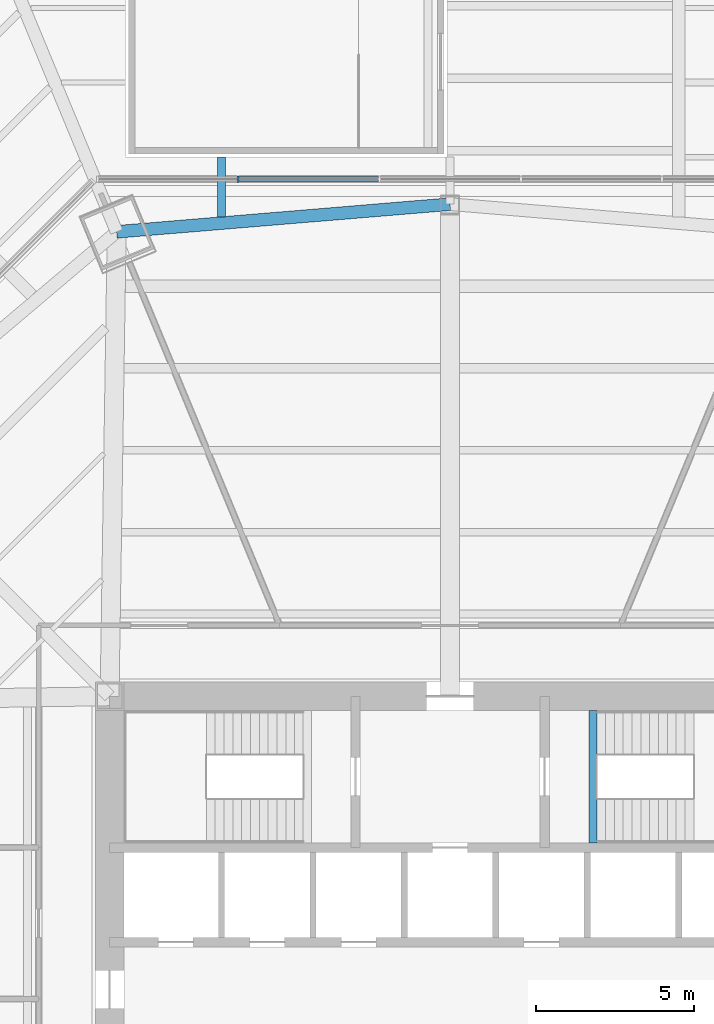
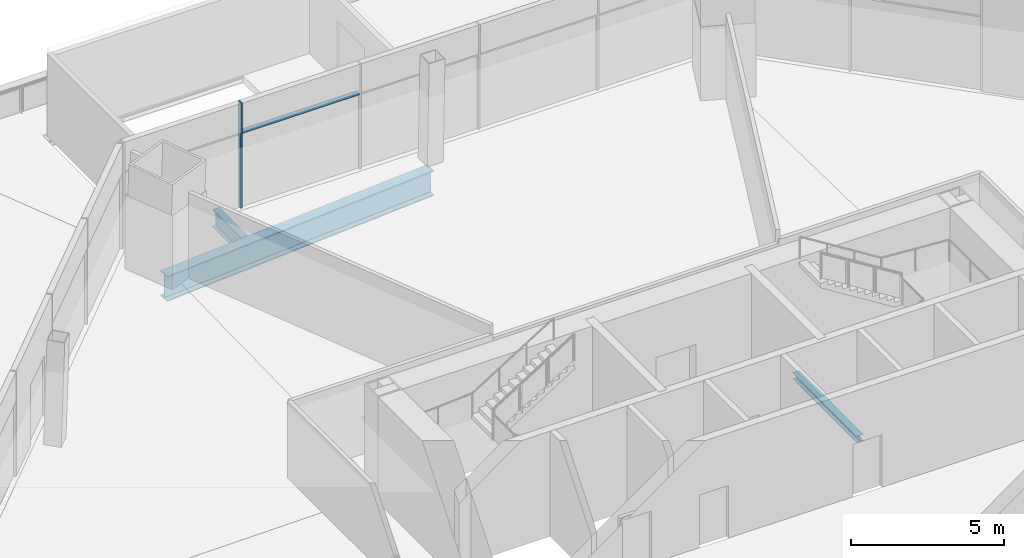
# One storey, part 9 of 25: 3 beams, 2 members, 1 element without a shape of its own.
"""IFC4 building model written with IfcOpenShell, lengths in metres."""

import ifcopenshell
import ifcopenshell.guid

model = None  # the IFC model being written
_history = None  # IfcOwnerHistory: only IFC2X3 demands one
_inside = {}  # id of a spatial element -> (the spatial element, [elements in it])
_under = {}  # id of a project, library or spatial element -> (it, [spatial elements below it])
_declared = {}  # id of a project -> (the project, [libraries it declares])
_typed = {}  # id of a type object -> (the type object, [elements of that type])
_made_of = {}  # id of a material, layer set ... -> (it, [elements and type objects made of it])


def new_model(schema):
    """Start an empty IFC model of exactly this schema.

    Asked for "IFC4X3", IfcOpenShell would pick the latest addendum, in which some entities
    have other attributes; the version numbers below select the first issue.
    IFC2X3 requires an IfcOwnerHistory on every rooted entity: one is made here for all.
    """
    global model, _history
    if schema == "IFC4X3":
        model = ifcopenshell.file(schema_version=(4, 3, 0, 0))
    else:
        model = ifcopenshell.file(schema=schema)
    _inside.clear()
    _under.clear()
    _declared.clear()
    _typed.clear()
    _made_of.clear()
    _history = None
    if model.schema == "IFC2X3":
        org = make("IfcOrganization", Name="unknown")
        user = make(
            "IfcPersonAndOrganization",
            ThePerson=make("IfcPerson", FamilyName="unknown"),
            TheOrganization=org,
        )
        app = make(
            "IfcApplication",
            ApplicationDeveloper=org,
            Version="unknown",
            ApplicationFullName="unknown",
            ApplicationIdentifier="unknown",
        )
        _history = make(
            "IfcOwnerHistory",
            OwningUser=user,
            OwningApplication=app,
            ChangeAction="ADDED",
            CreationDate=0,
        )
    return model


def make(cls, **values):
    """One entity of the class cls with the attributes given. An attribute that is None is left unset."""
    return model.create_entity(
        cls, **{name: value for name, value in values.items() if value is not None}
    )


def rooted(cls, **values):
    """An entity with a GlobalId (a new one), such as an element, a storey or a relation."""
    return make(cls, GlobalId=ifcopenshell.guid.new(), OwnerHistory=_history, **values)


def si_unit(unit_type, name, prefix=None):
    """IfcSIUnit, for example si_unit("LENGTHUNIT", "METRE", prefix="MILLI")."""
    return make("IfcSIUnit", UnitType=unit_type, Prefix=prefix, Name=name)


def assignment(units):
    """IfcUnitAssignment: the units of a project."""
    return None if units is None else make("IfcUnitAssignment", Units=units)


def point(xyz):
    """IfcCartesianPoint."""
    return None if xyz is None else make("IfcCartesianPoint", Coordinates=xyz)


def direction(xyz):
    """IfcDirection."""
    return None if xyz is None else make("IfcDirection", DirectionRatios=xyz)


def frame(location, z_axis=None, x_axis=None):
    """IfcAxis2Placement3D, a coordinate frame: its origin and axes. An axis left out is left unset."""
    return make(
        "IfcAxis2Placement3D",
        Location=point(location),
        Axis=direction(z_axis),
        RefDirection=direction(x_axis),
    )


def frame_2d(location, x_axis=None):
    """IfcAxis2Placement2D, a coordinate frame in the plane: its origin and x axis."""
    return make(
        "IfcAxis2Placement2D", Location=point(location), RefDirection=direction(x_axis)
    )


def origin():
    """The frame at (0, 0, 0) with its axes left unset."""
    return frame((0.0, 0.0, 0.0))


def origin_2d():
    """The frame at (0, 0) in the plane with its x axis left unset."""
    return frame_2d((0.0, 0.0))


def place(relative_to, where):
    """IfcLocalPlacement: puts the frame where relative to a parent placement (None: the world)."""
    return make(
        "IfcLocalPlacement", PlacementRelTo=relative_to, RelativePlacement=where
    )


def context(
    kind, dimensions, precision=None, world=None, true_north=None, identifier=None
):
    """IfcGeometricRepresentationContext, for example the 3D "Model" context."""
    return make(
        "IfcGeometricRepresentationContext",
        ContextIdentifier=identifier,
        ContextType=kind,
        CoordinateSpaceDimension=dimensions,
        Precision=precision,
        WorldCoordinateSystem=world,
        TrueNorth=true_north,
    )


def subcontext(parent, identifier, kind, view, scale=None):
    """IfcGeometricRepresentationSubContext, for example "Body" below "Model"."""
    return make(
        "IfcGeometricRepresentationSubContext",
        ContextIdentifier=identifier,
        ContextType=kind,
        ParentContext=parent,
        TargetScale=scale,
        TargetView=view,
    )


def project(units=None, contexts=None):
    """IfcProject with its units and contexts."""
    return rooted(
        "IfcProject",
        Name="project",
        RepresentationContexts=contexts,
        UnitsInContext=assignment(units),
    )


def spatial(cls, under=None, at=None, **own):
    """A site, building, storey or space (cls), placed at a placement, below another one or the project."""
    s = rooted(cls, ObjectPlacement=at, **own)
    if under is not None:
        _under.setdefault(under.id(), (under, []))[1].append(s)
    return s


def profile(cls, at=None, kind="AREA", **sizes):
    """A parametric profile (cls). Its sizes go by their IFC names, for example OverallWidth=200.0."""
    return make(cls, ProfileType=kind, Position=at, **sizes)


def rectangle(**sizes):
    """IfcRectangleProfileDef."""
    return profile("IfcRectangleProfileDef", **sizes)


def i_section(**sizes):
    """IfcIShapeProfileDef."""
    return profile("IfcIShapeProfileDef", **sizes)


def extrude(swept, where, along, depth):
    """IfcExtrudedAreaSolid: the profile swept, set in the frame where, extruded along a direction by depth."""
    return make(
        "IfcExtrudedAreaSolid",
        SweptArea=swept,
        Position=where,
        ExtrudedDirection=direction(along),
        Depth=depth,
    )


def shape(context_of_items, identifier, shape_type, items):
    """IfcShapeRepresentation: the items that make up one representation, for example the "Body"."""
    return make(
        "IfcShapeRepresentation",
        ContextOfItems=context_of_items,
        RepresentationIdentifier=identifier,
        RepresentationType=shape_type,
        Items=items,
    )


def source(mapping_origin, context_of_items, identifier, shape_type, items):
    """IfcRepresentationMap: a shape defined once, which mapped items show again and again."""
    return make(
        "IfcRepresentationMap",
        MappingOrigin=mapping_origin,
        MappedRepresentation=shape(context_of_items, identifier, shape_type, items),
    )


def transform(
    local_origin,
    x_axis=None,
    y_axis=None,
    z_axis=None,
    scale=None,
    scale2=None,
    scale3=None,
    uniform=True,
):
    """IfcCartesianTransformationOperator3D, or its non-uniform kind. x_axis, y_axis, z_axis: its Axis1, 2, 3."""
    if uniform:
        return make(
            "IfcCartesianTransformationOperator3D",
            Axis1=direction(x_axis),
            Axis2=direction(y_axis),
            LocalOrigin=point(local_origin),
            Scale=scale,
            Axis3=direction(z_axis),
        )
    return make(
        "IfcCartesianTransformationOperator3DnonUniform",
        Axis1=direction(x_axis),
        Axis2=direction(y_axis),
        LocalOrigin=point(local_origin),
        Scale=scale,
        Axis3=direction(z_axis),
        Scale2=scale2,
        Scale3=scale3,
    )


def mapped(mapping_source, mapping_target):
    """IfcMappedItem: shows the shape of a source again, moved by a transform."""
    return make(
        "IfcMappedItem", MappingSource=mapping_source, MappingTarget=mapping_target
    )


def material(Name=None, Category=None):
    """IfcMaterial."""
    return make("IfcMaterial", Name=Name, Category=Category)


def material_profile(
    of_material, cross_section, Name=None, Category=None, Priority=None
):
    """IfcMaterialProfile: a cross section and its material."""
    return make(
        "IfcMaterialProfile",
        Name=Name,
        Material=of_material,
        Profile=cross_section,
        Priority=Priority,
        Category=Category,
    )


def profile_set(profiles, Name=None, composite=None):
    """IfcMaterialProfileSet."""
    return make(
        "IfcMaterialProfileSet",
        Name=Name,
        MaterialProfiles=profiles,
        CompositeProfile=composite,
    )


def made_of(thing, what):
    """Note that an element or type object is made of a material, layer set ...; save() writes the relation."""
    if what is not None:
        _made_of.setdefault(what.id(), (what, []))[1].append(thing)
    return thing


def type_object(cls, material=None, **own):
    """A type object (cls), such as IfcWallType, which elements share."""
    return made_of(rooted(cls, **own), material)


def type_shapes(of_type, sources):
    """Give a type object the sources (RepresentationMaps) that its elements show as mapped items."""
    of_type.RepresentationMaps = sources


def element(
    cls,
    number,
    at=None,
    inside=None,
    cuts=None,
    type_object=None,
    material=None,
    context=None,
    identifier="Body",
    shape_type=None,
    held_by="IfcProductDefinitionShape",
    body=None,
    shapes=None,
    **own,
):
    """One element of the class cls, such as IfcWall. Its Tag is "e" and its number.

    at: its placement. inside: the storey or other place that contains it. cuts: it is an
    opening in that element (IfcRelVoidsElement). A single representation is given by context,
    identifier, shape_type and body (its items); several are given by shapes. held_by: the class
    of the entity that holds the representations. save() writes the other relations.
    """
    e = rooted(cls, Tag="e%d" % number, ObjectPlacement=at, **own)
    if body is not None:
        shapes = [shape(context, identifier, shape_type, body)]
    if shapes is not None:
        e.Representation = make(held_by, Representations=shapes)
    if inside is not None:
        _inside.setdefault(inside.id(), (inside, []))[1].append(e)
    if cuts is not None:
        rooted(
            "IfcRelVoidsElement", RelatingBuildingElement=cuts, RelatedOpeningElement=e
        )
    if type_object is not None:
        _typed.setdefault(type_object.id(), (type_object, []))[1].append(e)
    return made_of(e, material)


def aggregate(whole, parts):
    """IfcRelAggregates: a whole, such as a stair, and the parts it consists of."""
    return rooted("IfcRelAggregates", RelatingObject=whole, RelatedObjects=parts)


def save(model, path):
    """Write the relations noted so far, then the file.

    IfcRelAggregates (storeys below a building ...), IfcRelContainedInSpatialStructure (elements
    in a storey), IfcRelDefinesByType, IfcRelAssociatesMaterial and IfcRelDeclares: one each for
    every whole, place, type object, material and project.
    """
    for whole, parts in _under.values():
        aggregate(whole, parts)
    for where, things in _inside.values():
        rooted(
            "IfcRelContainedInSpatialStructure",
            RelatedElements=things,
            RelatingStructure=where,
        )
    for kind, things in _typed.values():
        rooted("IfcRelDefinesByType", RelatedObjects=things, RelatingType=kind)
    for what, things in _made_of.values():
        rooted("IfcRelAssociatesMaterial", RelatedObjects=things, RelatingMaterial=what)
    for by, libraries in _declared.values():
        rooted("IfcRelDeclares", RelatingContext=by, RelatedDefinitions=libraries)
    model.write(path)


model = new_model("IFC4")

# Units and contexts
model_context = context("Model", 3, precision=1e-05, world=origin(), true_north=direction((0.0, 1.0)))
body_context = subcontext(model_context, "Body", "Model", "MODEL_VIEW")
ifc_project = project(units=[si_unit("LENGTHUNIT", "METRE"), si_unit("AREAUNIT", "SQUARE_METRE"), si_unit("VOLUMEUNIT", "CUBIC_METRE"), si_unit("PLANEANGLEUNIT", "RADIAN"), si_unit("MASSUNIT", "GRAM", prefix="KILO")], contexts=[model_context])

# Site, building, storey
site_placement = place(None, origin())
site = spatial("IfcSite", under=ifc_project, at=site_placement, CompositionType="ELEMENT")
building_placement = place(site_placement, origin())
building = spatial("IfcBuilding", under=site, at=building_placement, Name="Mashrafa Tower", CompositionType="ELEMENT")
storey_placement = place(building_placement, frame((0.0, 0.0, 28.800048828125)))
storey = spatial("IfcBuildingStorey", under=building, at=storey_placement, Name="L05", CompositionType="ELEMENT", Elevation=28.800048828125)

# Beams
ifc_material_1 = material(Name="Steel ASTM A992", Category="steel")
ifc_material_profile_1 = material_profile(ifc_material_1, i_section(OverallWidth=0.256591796875, OverallDepth=0.693359375, WebThickness=0.014404296875, FlangeThickness=0.023681640625, FilletRadius=0.01513671875, at=origin_2d()), Name="W27X114")
ifc_profile_set_1 = profile_set([ifc_material_profile_1], Name="Steel ASTM A992")
beam_type_1 = type_object("IfcBeamType", Name="Beam W27X114", PredefinedType="BEAM", material=ifc_profile_set_1)
beam_1_placement = place(storey_placement, frame((-7.248779296875, 26.0078125, -0.646728515625), z_axis=(0.0, 1.0, 0.0), x_axis=(-1.0, 0.0, 0.0)))
element("IfcBeam", 1, at=beam_1_placement, inside=storey, type_object=beam_type_1, Name="Podium radial beam L05 193", PredefinedType="BEAM", context=body_context, shape_type="SweptSolid", body=[
    extrude(i_section(OverallWidth=0.256591796875, OverallDepth=0.693359375, WebThickness=0.014404296875, FlangeThickness=0.023681640625, FilletRadius=0.01513671875, at=origin_2d()), origin(), (0.0, 0.0, 1.0), 1.89208984375),
])
ifc_material_2 = material(Name="Steel ASTM A992", Category="steel")
ifc_material_profile_2 = material_profile(ifc_material_2, i_section(OverallWidth=0.4013671875, OverallDepth=1.010986328125, WebThickness=0.023681640625, FlangeThickness=0.0419921875, FilletRadius=0.02001953125, at=origin_2d()), Name="W40X297")
ifc_profile_set_2 = profile_set([ifc_material_profile_2], Name="Steel ASTM A992")
beam_type_2 = type_object("IfcBeamType", Name="Beam W40X297", PredefinedType="BEAM", material=ifc_profile_set_2)
beam_2_placement = place(storey_placement, frame((0.0, 26.408447265625, -0.805419921875), z_axis=(-0.996569676299, -0.082757962037, 0.0), x_axis=(0.082757962037, -0.996569676299, 0.0)))
element("IfcBeam", 2, at=beam_2_placement, inside=storey, type_object=beam_type_2, Name="Podium ring girder L05 225", PredefinedType="BEAM", context=body_context, shape_type="SweptSolid", body=[
    extrude(i_section(OverallWidth=0.4013671875, OverallDepth=1.010986328125, WebThickness=0.023681640625, FlangeThickness=0.0419921875, FilletRadius=0.02001953125, at=origin_2d()), origin(), (0.0, 0.0, 1.0), 10.611328125),
])
ifc_material_3 = material(Name="Steel ASTM A992", Category="steel")
ifc_material_profile_3 = material_profile(ifc_material_3, i_section(OverallWidth=0.25390625, OverallDepth=0.25390625, WebThickness=0.008544921875, FlangeThickness=0.01416015625, FilletRadius=0.010009765625, at=origin_2d()), Name="W10X49")
ifc_profile_set_3 = profile_set([ifc_material_profile_3], Name="Steel ASTM A992")
beam_type_3 = type_object("IfcBeamType", Name="Hoistway beam W10X49", PredefinedType="BEAM", material=ifc_profile_set_3)
beam_3_placement = place(storey_placement, frame((4.530029296875, 6.14990234375, -0.427001953125), z_axis=(0.0, 1.0, 0.0), x_axis=(-1.0, 0.0, 0.0)))
element("IfcBeam", 3, at=beam_3_placement, inside=storey, type_object=beam_type_3, Name="Stair S2 landing beam L05", PredefinedType="BEAM", context=body_context, shape_type="SweptSolid", body=[
    extrude(i_section(OverallWidth=0.25390625, OverallDepth=0.25390625, WebThickness=0.008544921875, FlangeThickness=0.01416015625, FilletRadius=0.010009765625, at=origin_2d()), origin(), (0.0, 0.0, 1.0), 4.2001953125),
])

# Curtain wall, members
ifc_material_4 = material(Name="Unitised aluminium curtain wall", Category="aluminium")
curtain_wall_type = type_object("IfcCurtainWallType", Name="Office curtain wall, zone 1 CW-A 200 deep", PredefinedType="NOTDEFINED", material=ifc_material_4)
curtain_wall_placement = place(storey_placement, origin())
curtain_wall = element("IfcCurtainWall", 4, at=curtain_wall_placement, inside=storey, type_object=curtain_wall_type, Name="Office curtain wall, zone 1 L05 north", PredefinedType="NOTDEFINED")
ifc_material_5 = material(Name="Extruded aluminium mullion", Category="aluminium")
ifc_material_profile_4 = material_profile(ifc_material_5, rectangle(XDim=0.199951171875, YDim=0.06494140625, at=origin_2d()), Name="Mullion 65x200")
ifc_profile_set_4 = profile_set([ifc_material_profile_4], Name="Extruded aluminium mullion")
member_type_1 = type_object("IfcMemberType", Name="Mullion CW-A 65 x 200", PredefinedType="MULLION", material=ifc_profile_set_4)
shared_shape_1 = source(origin(), body_context, "Body", "SweptSolid", [
    extrude(rectangle(XDim=0.199951171875, YDim=0.06494140625, at=origin_2d()), origin(), (0.0, 0.0, 1.0), 4.199951171875),
])
type_shapes(member_type_1, [shared_shape_1])
member_1_placement = place(storey_placement, frame((-6.72900390625, 27.199951171875, 0.0), z_axis=(0.0, 0.0, 1.0), x_axis=(0.0, -1.0, 0.0)))
member_1 = element("IfcMember", 5, at=member_1_placement, type_object=member_type_1, Name="CW-A mullion 5", PredefinedType="MULLION", context=body_context, shape_type="MappedRepresentation", body=[
    mapped(shared_shape_1, transform((0.0, 0.0, 0.0))),
])
ifc_material_6 = material(Name="Extruded aluminium transom", Category="aluminium")
ifc_material_profile_5 = material_profile(ifc_material_6, rectangle(XDim=0.159912109375, YDim=0.080078125, at=origin_2d()), Name="Transom 80x160")
ifc_profile_set_5 = profile_set([ifc_material_profile_5], Name="Extruded aluminium transom")
member_type_2 = type_object("IfcMemberType", Name="Transom CW-A 80 x 160", PredefinedType="MULLION", material=ifc_profile_set_5)
shared_shape_2 = source(origin(), body_context, "Body", "SweptSolid", [
    extrude(rectangle(XDim=0.159912109375, YDim=0.080078125, at=origin_2d()), origin(), (0.0, 0.0, 1.0), 4.4208984375),
])
type_shapes(member_type_2, [shared_shape_2])
member_2_placement = place(storey_placement, frame((-2.275634765625, 27.199951171875, 3.0), z_axis=(-1.0, 0.0, 0.0), x_axis=(0.0, -1.0, 0.0)))
member_2 = element("IfcMember", 6, at=member_2_placement, type_object=member_type_2, Name="CW-A transom 4", PredefinedType="MULLION", context=body_context, shape_type="MappedRepresentation", body=[
    mapped(shared_shape_2, transform((0.0, 0.0, 0.0))),
])
aggregate(curtain_wall, [member_1, member_2])

save(model, "model.ifc")
